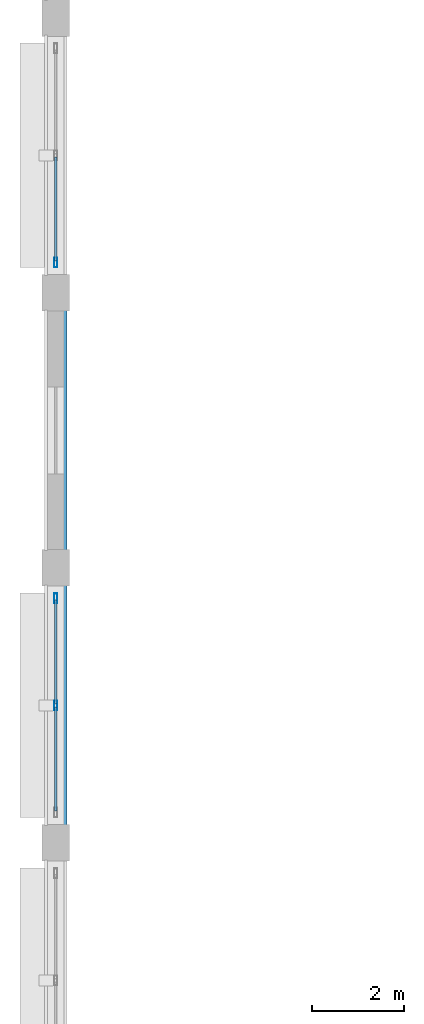
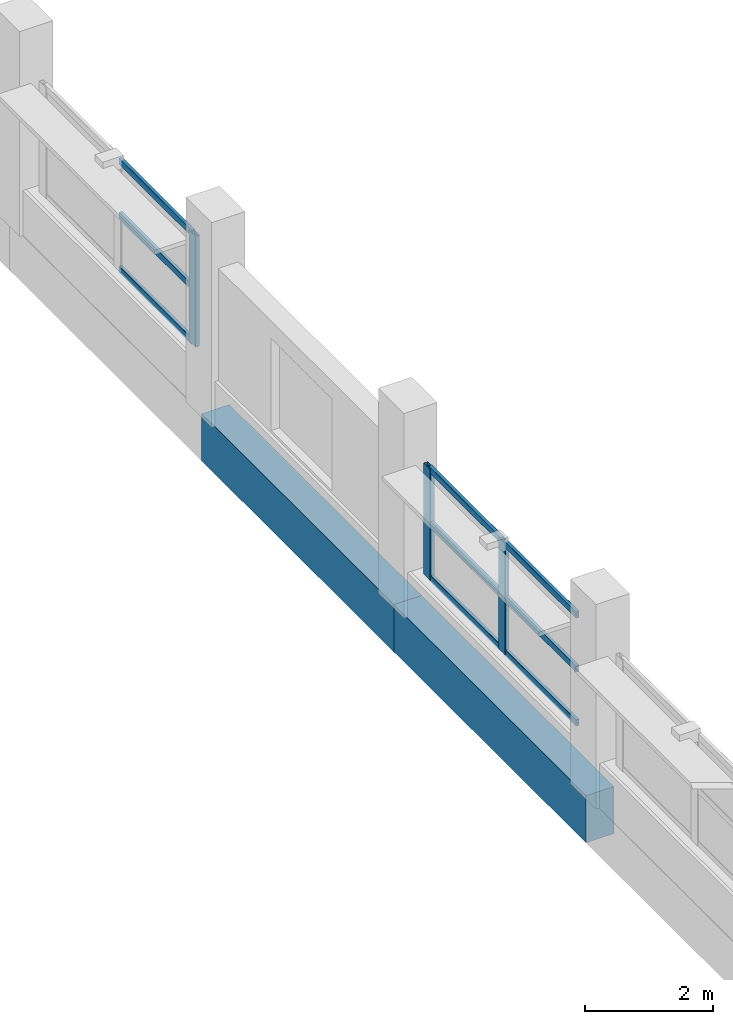
# One storey, part 8 of 121: 12 members, 2 beams, 2 elements without a shape of their own.
"""IFC4 building model written with IfcOpenShell, lengths in metres."""

from ifc_helpers import new_model, si_unit, direction, frame, origin, origin_2d, place, context, subcontext, project, spatial, rectangle, hollow_rectangle, extrude, material, layer, layer_set, material_profile, profile_set, type_object, element, aggregate, save


model = new_model("IFC4")

# Units and contexts
model_context = context("Model", 3, precision=1e-05, world=origin(), true_north=direction((0.0, 1.0)))
body_context = subcontext(model_context, "Body", "Model", "MODEL_VIEW")
ifc_project = project(units=[si_unit("LENGTHUNIT", "METRE"), si_unit("AREAUNIT", "SQUARE_METRE"), si_unit("VOLUMEUNIT", "CUBIC_METRE"), si_unit("PLANEANGLEUNIT", "RADIAN"), si_unit("MASSUNIT", "GRAM", prefix="KILO")], contexts=[model_context])

# Site, building, storey
site_placement = place(None, origin())
site = spatial("IfcSite", under=ifc_project, at=site_placement, CompositionType="ELEMENT")
building_placement = place(site_placement, origin())
building = spatial("IfcBuilding", under=site, at=building_placement, Name="Vespera Passage Community Centre", CompositionType="ELEMENT")
storey_placement = place(building_placement, frame((0.0, 0.0, 8.699951171875)))
storey = spatial("IfcBuildingStorey", under=building, at=storey_placement, Name="L02", CompositionType="ELEMENT", Elevation=8.699951171875)

# Beams
ifc_material_1 = material(Name="Concrete f'c 45 MPa", Category="concrete")
ifc_material_profile_1 = material_profile(ifc_material_1, rectangle(XDim=0.5, YDim=0.89990234375, at=origin_2d()), Name="RC500X900")
ifc_profile_set_1 = profile_set([ifc_material_profile_1], Name="Concrete f'c 45 MPa")
beam_type = type_object("IfcBeamType", Name="BM-SP-500X900E", PredefinedType="SPANDREL", material=ifc_profile_set_1)
for number, where, z_axis, x_axis, name in (
    (1, (4.050048828125, 19.0, -0.449951171875), (0.0, 1.0, 0.0), (-1.0, 0.0, 0.0), "V1 L02 Spandrel W3"),
    (2, (4.050048828125, 25.0, -0.449951171875), (0.0, 1.0, 0.0), (-1.0, 0.0, 0.0), "V1 L02 Spandrel W4"),
):
    element("IfcBeam", number, at=place(storey_placement, frame(where, z_axis=z_axis, x_axis=x_axis)), inside=storey, type_object=beam_type, Name=name, PredefinedType="SPANDREL", context=body_context, shape_type="SweptSolid", body=[
        extrude(rectangle(XDim=0.5, YDim=0.89990234375, at=origin_2d()), origin(), (0.0, 0.0, 1.0), 6.0),
    ])

# Curtain wall, members
ifc_material_2 = material(Name="Anodized aluminium 6063-T6", Category="aluminium")
ifc_layer = layer(ifc_material_2, 0.159912109375)
ifc_layer_set = layer_set([ifc_layer], Name="Anodized aluminium 6063-T6")
curtain_wall_type = type_object("IfcCurtainWallType", Name="CW-86E", PredefinedType="NOTDEFINED", material=ifc_layer_set)
curtain_wall_1_placement = place(storey_placement, origin())
curtain_wall_1 = element("IfcCurtainWall", 3, at=curtain_wall_1_placement, inside=storey, type_object=curtain_wall_type, Name="Main Hall Acoustic Curtain Wall L02 W3", PredefinedType="NOTDEFINED")
ifc_material_3 = material(Name="Anodized aluminium 6063-T6", Category="aluminium")
ifc_material_profile_2 = material_profile(ifc_material_3, hollow_rectangle(XDim=0.074951171875, YDim=0.2099609375, WallThickness=0.0048828125, InnerFilletRadius=0.00244140625, OuterFilletRadius=0.0048828125, at=origin_2d()), Name="ALU210X75X5")
ifc_profile_set_2 = profile_set([ifc_material_profile_2], Name="Anodized aluminium 6063-T6")
member_type_1 = type_object("IfcMemberType", Name="MB-CWM-210E", PredefinedType="MULLION", material=ifc_profile_set_2)
member_1_placement = place(storey_placement, frame((4.050048828125, 22.0, 0.85009765625), z_axis=(0.0, 0.0, 1.0), x_axis=(-1.0, 0.0, 0.0)))
member_1 = element("IfcMember", 4, at=member_1_placement, type_object=member_type_1, Name="CW-86E mullion 2", PredefinedType="MULLION", context=body_context, shape_type="SweptSolid", body=[
    extrude(hollow_rectangle(XDim=0.074951171875, YDim=0.2099609375, WallThickness=0.0048828125, InnerFilletRadius=0.00244140625, OuterFilletRadius=0.0048828125, at=origin_2d()), origin(), (0.0, 0.0, 1.0), 2.114990234375),
])
member_2_placement = place(storey_placement, frame((4.050048828125, 24.33740234375, 0.85009765625), z_axis=(0.0, 0.0, 1.0), x_axis=(-1.0, 0.0, 0.0)))
member_2 = element("IfcMember", 5, at=member_2_placement, type_object=member_type_1, Name="CW-86E mullion 3", PredefinedType="MULLION", context=body_context, shape_type="SweptSolid", body=[
    extrude(hollow_rectangle(XDim=0.074951171875, YDim=0.2099609375, WallThickness=0.0048828125, InnerFilletRadius=0.00244140625, OuterFilletRadius=0.0048828125, at=origin_2d()), origin(), (0.0, 0.0, 1.0), 2.114990234375),
])

# Curtain wall, member
curtain_wall_2_placement = place(storey_placement, origin())
curtain_wall_2 = element("IfcCurtainWall", 6, at=curtain_wall_2_placement, inside=storey, type_object=curtain_wall_type, Name="Main Hall Acoustic Curtain Wall L02 W5", PredefinedType="NOTDEFINED")
member_3_placement = place(storey_placement, frame((4.050048828125, 31.66259765625, 0.85009765625), z_axis=(0.0, 0.0, 1.0), x_axis=(-1.0, 0.0, 0.0)))
member_3 = element("IfcMember", 7, at=member_3_placement, type_object=member_type_1, Name="CW-86E mullion 1", PredefinedType="MULLION", context=body_context, shape_type="SweptSolid", body=[
    extrude(hollow_rectangle(XDim=0.074951171875, YDim=0.2099609375, WallThickness=0.0048828125, InnerFilletRadius=0.00244140625, OuterFilletRadius=0.0048828125, at=origin_2d()), origin(), (0.0, 0.0, 1.0), 2.114990234375),
])

# Member
ifc_material_4 = material(Name="Anodized aluminium 6063-T6", Category="aluminium")
ifc_material_profile_3 = material_profile(ifc_material_4, hollow_rectangle(XDim=0.06005859375, YDim=0.1201171875, WallThickness=0.00390625, InnerFilletRadius=0.001953125, OuterFilletRadius=0.00390625, at=origin_2d()), Name="ALU120X60X4")
ifc_profile_set_3 = profile_set([ifc_material_profile_3], Name="Anodized aluminium 6063-T6")
member_type_2 = type_object("IfcMemberType", Name="MB-CWT-120E", PredefinedType="USERDEFINED", material=ifc_profile_set_3)
member_4_placement = place(storey_placement, frame((4.050048828125, 19.699951171875, 0.880126953125), z_axis=(0.0, 1.0, 0.0), x_axis=(-1.0, 0.0, 0.0)))
member_4 = element("IfcMember", 8, at=member_4_placement, type_object=member_type_2, Name="CW-86E transom 1.1", ObjectType="TRANSOM", PredefinedType="USERDEFINED", context=body_context, shape_type="SweptSolid", body=[
    extrude(hollow_rectangle(XDim=0.06005859375, YDim=0.1201171875, WallThickness=0.00390625, InnerFilletRadius=0.001953125, OuterFilletRadius=0.00390625, at=origin_2d()), origin(), (0.0, 0.0, 1.0), 2.262451171875),
])

member_5_placement = place(storey_placement, frame((4.050048828125, 19.699951171875, 1.907470703125), z_axis=(0.0, 1.0, 0.0), x_axis=(-1.0, 0.0, 0.0)))
member_5 = element("IfcMember", 9, at=member_5_placement, type_object=member_type_2, Name="CW-86E transom 1.2", ObjectType="TRANSOM", PredefinedType="USERDEFINED", context=body_context, shape_type="SweptSolid", body=[
    extrude(hollow_rectangle(XDim=0.06005859375, YDim=0.1201171875, WallThickness=0.00390625, InnerFilletRadius=0.001953125, OuterFilletRadius=0.00390625, at=origin_2d()), origin(), (0.0, 0.0, 1.0), 2.262451171875),
])

member_6_placement = place(storey_placement, frame((4.050048828125, 19.699951171875, 2.93505859375), z_axis=(0.0, 1.0, 0.0), x_axis=(-1.0, 0.0, 0.0)))
member_6 = element("IfcMember", 10, at=member_6_placement, type_object=member_type_2, Name="CW-86E transom 1.3", ObjectType="TRANSOM", PredefinedType="USERDEFINED", context=body_context, shape_type="SweptSolid", body=[
    extrude(hollow_rectangle(XDim=0.06005859375, YDim=0.1201171875, WallThickness=0.00390625, InnerFilletRadius=0.001953125, OuterFilletRadius=0.00390625, at=origin_2d()), origin(), (0.0, 0.0, 1.0), 2.262451171875),
])

member_7_placement = place(storey_placement, frame((4.050048828125, 22.03759765625, 0.880126953125), z_axis=(0.0, 1.0, 0.0), x_axis=(-1.0, 0.0, 0.0)))
member_7 = element("IfcMember", 11, at=member_7_placement, type_object=member_type_2, Name="CW-86E transom 2.1", ObjectType="TRANSOM", PredefinedType="USERDEFINED", context=body_context, shape_type="SweptSolid", body=[
    extrude(hollow_rectangle(XDim=0.06005859375, YDim=0.1201171875, WallThickness=0.00390625, InnerFilletRadius=0.001953125, OuterFilletRadius=0.00390625, at=origin_2d()), origin(), (0.0, 0.0, 1.0), 2.262451171875),
])

member_8_placement = place(storey_placement, frame((4.050048828125, 22.03759765625, 1.907470703125), z_axis=(0.0, 1.0, 0.0), x_axis=(-1.0, 0.0, 0.0)))
member_8 = element("IfcMember", 12, at=member_8_placement, type_object=member_type_2, Name="CW-86E transom 2.2", ObjectType="TRANSOM", PredefinedType="USERDEFINED", context=body_context, shape_type="SweptSolid", body=[
    extrude(hollow_rectangle(XDim=0.06005859375, YDim=0.1201171875, WallThickness=0.00390625, InnerFilletRadius=0.001953125, OuterFilletRadius=0.00390625, at=origin_2d()), origin(), (0.0, 0.0, 1.0), 2.262451171875),
])

member_9_placement = place(storey_placement, frame((4.050048828125, 22.03759765625, 2.93505859375), z_axis=(0.0, 1.0, 0.0), x_axis=(-1.0, 0.0, 0.0)))
member_9 = element("IfcMember", 13, at=member_9_placement, type_object=member_type_2, Name="CW-86E transom 2.3", ObjectType="TRANSOM", PredefinedType="USERDEFINED", context=body_context, shape_type="SweptSolid", body=[
    extrude(hollow_rectangle(XDim=0.06005859375, YDim=0.1201171875, WallThickness=0.00390625, InnerFilletRadius=0.001953125, OuterFilletRadius=0.00390625, at=origin_2d()), origin(), (0.0, 0.0, 1.0), 2.262451171875),
])

aggregate(curtain_wall_1, [member_1, member_2, member_4, member_5, member_6, member_7, member_8, member_9])

member_10_placement = place(storey_placement, frame((4.050048828125, 31.699951171875, 0.880126953125), z_axis=(0.0, 1.0, 0.0), x_axis=(-1.0, 0.0, 0.0)))
member_10 = element("IfcMember", 14, at=member_10_placement, type_object=member_type_2, Name="CW-86E transom 1.1", ObjectType="TRANSOM", PredefinedType="USERDEFINED", context=body_context, shape_type="SweptSolid", body=[
    extrude(hollow_rectangle(XDim=0.06005859375, YDim=0.1201171875, WallThickness=0.00390625, InnerFilletRadius=0.001953125, OuterFilletRadius=0.00390625, at=origin_2d()), origin(), (0.0, 0.0, 1.0), 2.262451171875),
])

member_11_placement = place(storey_placement, frame((4.050048828125, 31.699951171875, 1.907470703125), z_axis=(0.0, 1.0, 0.0), x_axis=(-1.0, 0.0, 0.0)))
member_11 = element("IfcMember", 15, at=member_11_placement, type_object=member_type_2, Name="CW-86E transom 1.2", ObjectType="TRANSOM", PredefinedType="USERDEFINED", context=body_context, shape_type="SweptSolid", body=[
    extrude(hollow_rectangle(XDim=0.06005859375, YDim=0.1201171875, WallThickness=0.00390625, InnerFilletRadius=0.001953125, OuterFilletRadius=0.00390625, at=origin_2d()), origin(), (0.0, 0.0, 1.0), 2.262451171875),
])

member_12_placement = place(storey_placement, frame((4.050048828125, 31.699951171875, 2.93505859375), z_axis=(0.0, 1.0, 0.0), x_axis=(-1.0, 0.0, 0.0)))
member_12 = element("IfcMember", 16, at=member_12_placement, type_object=member_type_2, Name="CW-86E transom 1.3", ObjectType="TRANSOM", PredefinedType="USERDEFINED", context=body_context, shape_type="SweptSolid", body=[
    extrude(hollow_rectangle(XDim=0.06005859375, YDim=0.1201171875, WallThickness=0.00390625, InnerFilletRadius=0.001953125, OuterFilletRadius=0.00390625, at=origin_2d()), origin(), (0.0, 0.0, 1.0), 2.262451171875),
])

aggregate(curtain_wall_2, [member_3, member_10, member_11, member_12])

save(model, "model.ifc")
